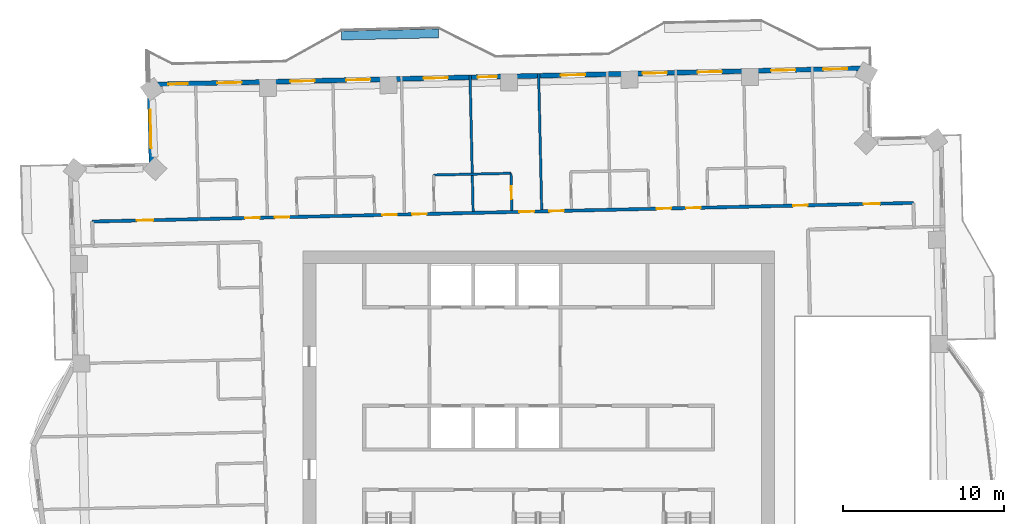
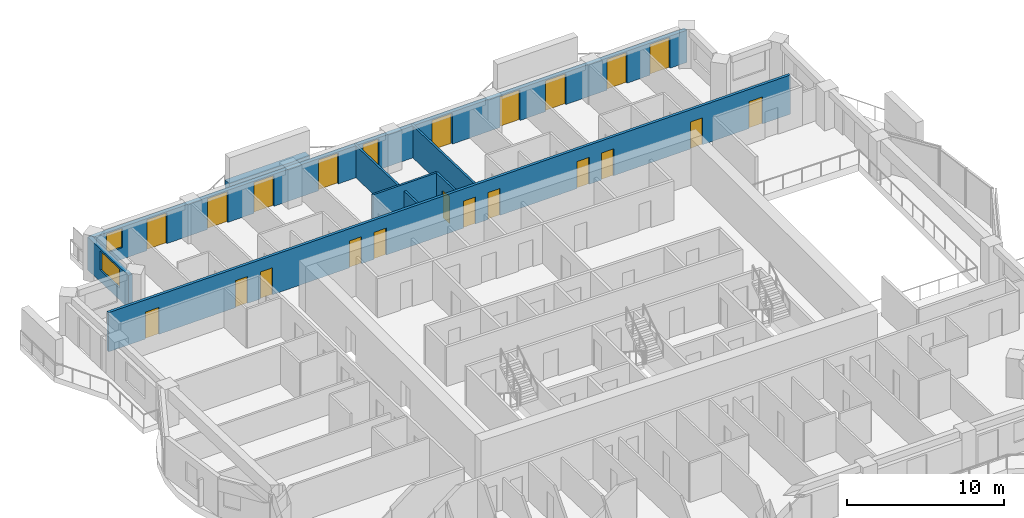
# One storey, part 11 of 17: 22 doors, 8 walls, 2 windows, 24 openings.
"""IFC4 building model written with IfcOpenShell, lengths in metres."""

from ifc_helpers import new_model, si_unit, direction, frame, frame_2d, origin, place, context, subcontext, project, spatial, rectangle, extrude, material, layer, layer_set, type_object, element, fill, save


model = new_model("IFC4")

# Units and contexts
model_context = context("Model", 3, precision=1e-05, world=origin(), true_north=direction((0.0, 1.0)))
body_context = subcontext(model_context, "Body", "Model", "MODEL_VIEW")
ifc_project = project(units=[si_unit("LENGTHUNIT", "METRE"), si_unit("AREAUNIT", "SQUARE_METRE"), si_unit("VOLUMEUNIT", "CUBIC_METRE"), si_unit("PLANEANGLEUNIT", "RADIAN"), si_unit("MASSUNIT", "GRAM", prefix="KILO")], contexts=[model_context])

# Site, building, storey
site_placement = place(None, origin())
site = spatial("IfcSite", under=ifc_project, at=site_placement, CompositionType="ELEMENT")
building_placement = place(site_placement, origin())
building = spatial("IfcBuilding", under=site, at=building_placement, Name="Mangrove Gate Tower", CompositionType="ELEMENT")
storey_placement = place(building_placement, frame((0.0, 0.0, 241.89990234375)))
storey = spatial("IfcBuildingStorey", under=building, at=storey_placement, Name="L61", CompositionType="ELEMENT", Elevation=241.89990234375)

# Wall, openings, doors
ifc_material_1 = material(Name="Gypsum board on steel stud, EI 60", Category="steel")
ifc_layer_1 = layer(ifc_material_1, 0.199951171875)
ifc_layer_set_1 = layer_set([ifc_layer_1], Name="Corridor wall EI 60")
wall_type_1 = type_object("IfcWallType", Name="Corridor wall EI 60", PredefinedType="PARTITIONING", material=ifc_layer_set_1)
wall_1_placement = place(storey_placement, frame((-27.652099609375, 13.4130859375, 0.0), z_axis=(0.0, 0.0, 1.0), x_axis=(0.999742864992, 0.022676064408, 0.0)))
wall_1 = element("IfcWall", 1, at=wall_1_placement, inside=storey, type_object=wall_type_1, Name="WALL-L61-058", PredefinedType="PARTITIONING", context=body_context, shape_type="SweptSolid", body=[
    extrude(rectangle(XDim=50.88232421875, YDim=0.199951171875, at=frame_2d((25.441162109375, 0.0))), origin(), (0.0, 0.0, 1.0), 3.050048828125),
])
opening_1_placement = place(wall_1_placement, frame((47.801025390625, 0.0, 0.0)))
opening_1 = element("IfcOpeningElement", 2, at=opening_1_placement, cuts=wall_1, Name="Opening AD", PredefinedType="OPENING", context=body_context, shape_type="SweptSolid", body=[
    extrude(rectangle(XDim=1.0, YDim=2.10009765625, at=frame_2d((0.5, 1.050048828125))), frame((0.0, 0.10986328125, 0.0), z_axis=(0.0, -1.0, 0.0), x_axis=(1.0, 0.0, 0.0)), (0.0, 0.0, 1.0), 0.219970703125),
])
opening_2_placement = place(wall_1_placement, frame((43.425048828125, 0.0, 0.0)))
opening_2 = element("IfcOpeningElement", 3, at=opening_2_placement, cuts=wall_1, Name="Opening BD", PredefinedType="OPENING", context=body_context, shape_type="SweptSolid", body=[
    extrude(rectangle(XDim=0.89990234375, YDim=2.10009765625, at=frame_2d((0.449951171875, 1.050048828125))), frame((0.0, 0.10986328125, 0.0), z_axis=(0.0, -1.0, 0.0), x_axis=(1.0, 0.0, 0.0)), (0.0, 0.0, 1.0), 0.219970703125),
])
opening_3_placement = place(wall_1_placement, frame((36.800048828125, 0.0, 0.0)))
opening_3 = element("IfcOpeningElement", 4, at=opening_3_placement, cuts=wall_1, Name="Opening BD", PredefinedType="OPENING", context=body_context, shape_type="SweptSolid", body=[
    extrude(rectangle(XDim=0.89990234375, YDim=2.10009765625, at=frame_2d((0.449951171875, 1.050048828125))), frame((0.0, 0.10986328125, 0.0), z_axis=(0.0, -1.0, 0.0), x_axis=(1.0, 0.0, 0.0)), (0.0, 0.0, 1.0), 0.219970703125),
])
opening_4_placement = place(wall_1_placement, frame((34.97509765625, 0.0, 0.0)))
opening_4 = element("IfcOpeningElement", 5, at=opening_4_placement, cuts=wall_1, Name="Opening BD", PredefinedType="OPENING", context=body_context, shape_type="SweptSolid", body=[
    extrude(rectangle(XDim=0.89990234375, YDim=2.10009765625, at=frame_2d((0.449951171875, 1.050048828125))), frame((0.0, 0.10986328125, 0.0), z_axis=(0.0, -1.0, 0.0), x_axis=(1.0, 0.0, 0.0)), (0.0, 0.0, 1.0), 0.219970703125),
])
opening_5_placement = place(wall_1_placement, frame((28.324951171875, 0.0, 0.0)))
opening_5 = element("IfcOpeningElement", 6, at=opening_5_placement, cuts=wall_1, Name="Opening BD", PredefinedType="OPENING", context=body_context, shape_type="SweptSolid", body=[
    extrude(rectangle(XDim=0.89990234375, YDim=2.10009765625, at=frame_2d((0.449951171875, 1.050048828125))), frame((0.0, 0.10986328125, 0.0), z_axis=(0.0, -1.0, 0.0), x_axis=(1.0, 0.0, 0.0)), (0.0, 0.0, 1.0), 0.219970703125),
])
opening_6_placement = place(wall_1_placement, frame((26.47509765625, 0.0, 0.0)))
opening_6 = element("IfcOpeningElement", 7, at=opening_6_placement, cuts=wall_1, Name="Opening BD", PredefinedType="OPENING", context=body_context, shape_type="SweptSolid", body=[
    extrude(rectangle(XDim=0.89990234375, YDim=2.10009765625, at=frame_2d((0.449951171875, 1.050048828125))), frame((0.0, 0.10986328125, 0.0), z_axis=(0.0, -1.0, 0.0), x_axis=(1.0, 0.0, 0.0)), (0.0, 0.0, 1.0), 0.219970703125),
])
opening_7_placement = place(wall_1_placement, frame((19.824951171875, 0.0, 0.0)))
opening_7 = element("IfcOpeningElement", 8, at=opening_7_placement, cuts=wall_1, Name="Opening BD", PredefinedType="OPENING", context=body_context, shape_type="SweptSolid", body=[
    extrude(rectangle(XDim=0.89990234375, YDim=2.10009765625, at=frame_2d((0.449951171875, 1.050048828125))), frame((0.0, 0.10986328125, 0.0), z_axis=(0.0, -1.0, 0.0), x_axis=(1.0, 0.0, 0.0)), (0.0, 0.0, 1.0), 0.219970703125),
])
opening_8_placement = place(wall_1_placement, frame((17.97509765625, 0.0, 0.0)))
opening_8 = element("IfcOpeningElement", 9, at=opening_8_placement, cuts=wall_1, Name="Opening BD", PredefinedType="OPENING", context=body_context, shape_type="SweptSolid", body=[
    extrude(rectangle(XDim=0.89990234375, YDim=2.10009765625, at=frame_2d((0.449951171875, 1.050048828125))), frame((0.0, 0.10986328125, 0.0), z_axis=(0.0, -1.0, 0.0), x_axis=(1.0, 0.0, 0.0)), (0.0, 0.0, 1.0), 0.219970703125),
])
opening_9_placement = place(wall_1_placement, frame((11.324951171875, 0.0, 0.0)))
opening_9 = element("IfcOpeningElement", 10, at=opening_9_placement, cuts=wall_1, Name="Opening BD", PredefinedType="OPENING", context=body_context, shape_type="SweptSolid", body=[
    extrude(rectangle(XDim=0.89990234375, YDim=2.10009765625, at=frame_2d((0.449951171875, 1.050048828125))), frame((0.0, 0.10986328125, 0.0), z_axis=(0.0, -1.0, 0.0), x_axis=(1.0, 0.0, 0.0)), (0.0, 0.0, 1.0), 0.219970703125),
])
opening_10_placement = place(wall_1_placement, frame((9.47509765625, 0.0, 0.0)))
opening_10 = element("IfcOpeningElement", 11, at=opening_10_placement, cuts=wall_1, Name="Opening BD", PredefinedType="OPENING", context=body_context, shape_type="SweptSolid", body=[
    extrude(rectangle(XDim=0.89990234375, YDim=2.10009765625, at=frame_2d((0.449951171875, 1.050048828125))), frame((0.0, 0.10986328125, 0.0), z_axis=(0.0, -1.0, 0.0), x_axis=(1.0, 0.0, 0.0)), (0.0, 0.0, 1.0), 0.219970703125),
])
opening_11_placement = place(wall_1_placement, frame((2.77197265625, 0.0, 0.0)))
opening_11 = element("IfcOpeningElement", 12, at=opening_11_placement, cuts=wall_1, Name="Opening AD", PredefinedType="OPENING", context=body_context, shape_type="SweptSolid", body=[
    extrude(rectangle(XDim=1.0, YDim=2.10009765625, at=frame_2d((0.5, 1.050048828125))), frame((0.0, 0.10986328125, 0.0), z_axis=(0.0, -1.0, 0.0), x_axis=(1.0, 0.0, 0.0)), (0.0, 0.0, 1.0), 0.219970703125),
])
ifc_material_2 = material(Name="Timber door leaf", Category="wood")
door_type_1 = type_object("IfcDoorType", Name="Amenity door 1000", OperationType="SINGLE_SWING_LEFT", PredefinedType="DOOR", material=ifc_material_2)
door_1_placement = place(opening_1_placement, origin())
door_1 = element("IfcDoor", 13, at=door_1_placement, inside=storey, type_object=door_type_1, Name="DOOR-L61-KIT-c3c", OperationType="SINGLE_SWING_LEFT", OverallHeight=2.10009765625, OverallWidth=1.0, PredefinedType="DOOR", context=body_context, shape_type="SweptSolid", body=[
    extrude(rectangle(XDim=1.0, YDim=2.10009765625, at=frame_2d((0.5, 1.050048828125))), frame((0.0, 0.02490234375, 0.0), z_axis=(0.0, -1.0, 0.0), x_axis=(1.0, 0.0, 0.0)), (0.0, 0.0, 1.0), 0.050048828125),
])
fill(opening_1, door_1)
door_2_placement = place(opening_11_placement, origin())
door_2 = element("IfcDoor", 14, at=door_2_placement, inside=storey, type_object=door_type_1, Name="DOOR-L61-STU-c5a", OperationType="SINGLE_SWING_RIGHT", OverallHeight=2.10009765625, OverallWidth=1.0, PredefinedType="DOOR", context=body_context, shape_type="SweptSolid", body=[
    extrude(rectangle(XDim=1.0, YDim=2.10009765625, at=frame_2d((0.5, 1.050048828125))), frame((0.0, 0.02490234375, 0.0), z_axis=(0.0, -1.0, 0.0), x_axis=(1.0, 0.0, 0.0)), (0.0, 0.0, 1.0), 0.050048828125),
])
fill(opening_11, door_2)
ifc_material_3 = material(Name="Timber door leaf", Category="wood")
door_type_2 = type_object("IfcDoorType", Name="Bedroom door 900", OperationType="SINGLE_SWING_LEFT", PredefinedType="DOOR", material=ifc_material_3)
door_3_placement = place(opening_2_placement, origin())
door_3 = element("IfcDoor", 15, at=door_3_placement, inside=storey, type_object=door_type_2, Name="DOOR-L61-BED-c309", OperationType="SINGLE_SWING_LEFT", OverallHeight=2.10009765625, OverallWidth=0.89990234375, PredefinedType="DOOR", context=body_context, shape_type="SweptSolid", body=[
    extrude(rectangle(XDim=0.89990234375, YDim=2.10009765625, at=frame_2d((0.449951171875, 1.050048828125))), frame((0.0, 0.02490234375, 0.0), z_axis=(0.0, -1.0, 0.0), x_axis=(1.0, 0.0, 0.0)), (0.0, 0.0, 1.0), 0.050048828125),
])
fill(opening_2, door_3)
door_4_placement = place(opening_3_placement, origin())
door_4 = element("IfcDoor", 16, at=door_4_placement, inside=storey, type_object=door_type_2, Name="DOOR-L61-BED-c310", OperationType="SINGLE_SWING_RIGHT", OverallHeight=2.10009765625, OverallWidth=0.89990234375, PredefinedType="DOOR", context=body_context, shape_type="SweptSolid", body=[
    extrude(rectangle(XDim=0.89990234375, YDim=2.10009765625, at=frame_2d((0.449951171875, 1.050048828125))), frame((0.0, 0.02490234375, 0.0), z_axis=(0.0, -1.0, 0.0), x_axis=(1.0, 0.0, 0.0)), (0.0, 0.0, 1.0), 0.050048828125),
])
fill(opening_3, door_4)
door_5_placement = place(opening_4_placement, origin())
door_5 = element("IfcDoor", 17, at=door_5_placement, inside=storey, type_object=door_type_2, Name="DOOR-L61-BED-c311", OperationType="SINGLE_SWING_LEFT", OverallHeight=2.10009765625, OverallWidth=0.89990234375, PredefinedType="DOOR", context=body_context, shape_type="SweptSolid", body=[
    extrude(rectangle(XDim=0.89990234375, YDim=2.10009765625, at=frame_2d((0.449951171875, 1.050048828125))), frame((0.0, 0.02490234375, 0.0), z_axis=(0.0, -1.0, 0.0), x_axis=(1.0, 0.0, 0.0)), (0.0, 0.0, 1.0), 0.050048828125),
])
fill(opening_4, door_5)
door_6_placement = place(opening_5_placement, origin())
door_6 = element("IfcDoor", 18, at=door_6_placement, inside=storey, type_object=door_type_2, Name="DOOR-L61-BED-c412", OperationType="SINGLE_SWING_RIGHT", OverallHeight=2.10009765625, OverallWidth=0.89990234375, PredefinedType="DOOR", context=body_context, shape_type="SweptSolid", body=[
    extrude(rectangle(XDim=0.89990234375, YDim=2.10009765625, at=frame_2d((0.449951171875, 1.050048828125))), frame((0.0, 0.02490234375, 0.0), z_axis=(0.0, -1.0, 0.0), x_axis=(1.0, 0.0, 0.0)), (0.0, 0.0, 1.0), 0.050048828125),
])
fill(opening_5, door_6)
door_7_placement = place(opening_6_placement, origin())
door_7 = element("IfcDoor", 19, at=door_7_placement, inside=storey, type_object=door_type_2, Name="DOOR-L61-BED-c413", OperationType="SINGLE_SWING_LEFT", OverallHeight=2.10009765625, OverallWidth=0.89990234375, PredefinedType="DOOR", context=body_context, shape_type="SweptSolid", body=[
    extrude(rectangle(XDim=0.89990234375, YDim=2.10009765625, at=frame_2d((0.449951171875, 1.050048828125))), frame((0.0, 0.02490234375, 0.0), z_axis=(0.0, -1.0, 0.0), x_axis=(1.0, 0.0, 0.0)), (0.0, 0.0, 1.0), 0.050048828125),
])
fill(opening_6, door_7)
door_8_placement = place(opening_7_placement, origin())
door_8 = element("IfcDoor", 20, at=door_8_placement, inside=storey, type_object=door_type_2, Name="DOOR-L61-BED-c414", OperationType="SINGLE_SWING_RIGHT", OverallHeight=2.10009765625, OverallWidth=0.89990234375, PredefinedType="DOOR", context=body_context, shape_type="SweptSolid", body=[
    extrude(rectangle(XDim=0.89990234375, YDim=2.10009765625, at=frame_2d((0.449951171875, 1.050048828125))), frame((0.0, 0.02490234375, 0.0), z_axis=(0.0, -1.0, 0.0), x_axis=(1.0, 0.0, 0.0)), (0.0, 0.0, 1.0), 0.050048828125),
])
fill(opening_7, door_8)
door_9_placement = place(opening_8_placement, origin())
door_9 = element("IfcDoor", 21, at=door_9_placement, inside=storey, type_object=door_type_2, Name="DOOR-L61-BED-c515", OperationType="SINGLE_SWING_LEFT", OverallHeight=2.10009765625, OverallWidth=0.89990234375, PredefinedType="DOOR", context=body_context, shape_type="SweptSolid", body=[
    extrude(rectangle(XDim=0.89990234375, YDim=2.10009765625, at=frame_2d((0.449951171875, 1.050048828125))), frame((0.0, 0.02490234375, 0.0), z_axis=(0.0, -1.0, 0.0), x_axis=(1.0, 0.0, 0.0)), (0.0, 0.0, 1.0), 0.050048828125),
])
fill(opening_8, door_9)
door_10_placement = place(opening_9_placement, origin())
door_10 = element("IfcDoor", 22, at=door_10_placement, inside=storey, type_object=door_type_2, Name="DOOR-L61-BED-c516", OperationType="SINGLE_SWING_RIGHT", OverallHeight=2.10009765625, OverallWidth=0.89990234375, PredefinedType="DOOR", context=body_context, shape_type="SweptSolid", body=[
    extrude(rectangle(XDim=0.89990234375, YDim=2.10009765625, at=frame_2d((0.449951171875, 1.050048828125))), frame((0.0, 0.02490234375, 0.0), z_axis=(0.0, -1.0, 0.0), x_axis=(1.0, 0.0, 0.0)), (0.0, 0.0, 1.0), 0.050048828125),
])
fill(opening_9, door_10)
door_11_placement = place(opening_10_placement, origin())
door_11 = element("IfcDoor", 23, at=door_11_placement, inside=storey, type_object=door_type_2, Name="DOOR-L61-BED-c517", OperationType="SINGLE_SWING_LEFT", OverallHeight=2.10009765625, OverallWidth=0.89990234375, PredefinedType="DOOR", context=body_context, shape_type="SweptSolid", body=[
    extrude(rectangle(XDim=0.89990234375, YDim=2.10009765625, at=frame_2d((0.449951171875, 1.050048828125))), frame((0.0, 0.02490234375, 0.0), z_axis=(0.0, -1.0, 0.0), x_axis=(1.0, 0.0, 0.0)), (0.0, 0.0, 1.0), 0.050048828125),
])
fill(opening_10, door_11)

# Wall, openings, doors, window
ifc_material_4 = material(Name="Limestone", Category="masonry")
ifc_layer_2 = layer(ifc_material_4, 0.0400390625, Name="Limestone cladding")
ifc_material_5 = material(Name="Ventilated air gap")
ifc_layer_3 = layer(ifc_material_5, 0.0400390625, Name="Ventilated cavity")
ifc_material_6 = material(Name="Mineral wool insulation")
ifc_layer_4 = layer(ifc_material_6, 0.06005859375, Name="Insulation")
ifc_material_7 = material(Name="Breather membrane")
ifc_layer_5 = layer(ifc_material_7, 0.001953125, Name="Breather membrane")
ifc_material_8 = material(Name="Concrete C20/25 blockwork", Category="masonry")
ifc_layer_6 = layer(ifc_material_8, 0.14990234375, Name="Blockwork backing wall")
ifc_material_9 = material(Name="Gypsum plaster")
ifc_layer_7 = layer(ifc_material_9, 0.008056640625, Name="Internal plaster")
ifc_layer_set_2 = layer_set([ifc_layer_2, ifc_layer_3, ifc_layer_4, ifc_layer_5, ifc_layer_6, ifc_layer_7], Name="External wall 300 limestone cladding")
wall_type_2 = type_object("IfcWallType", Name="External wall 300 limestone cladding", PredefinedType="SOLIDWALL", material=ifc_layer_set_2)
wall_2_placement = place(storey_placement, frame((20.403076171875, 22.905029296875, 0.0), z_axis=(0.0, 0.0, 1.0), x_axis=(-0.99974298964, -0.022670568288, 0.0)))
wall_2 = element("IfcWall", 24, at=wall_2_placement, inside=storey, type_object=wall_type_2, Name="WALL-L61-N5", PredefinedType="SOLIDWALL", context=body_context, shape_type="SweptSolid", body=[
    extrude(rectangle(XDim=44.508544921875, YDim=0.300048828125, at=frame_2d((22.25439453125, 0.0))), origin(), (0.0, 0.0, 1.0), 2.5),
])
opening_12_placement = place(wall_2_placement, frame((1.27197265625, 0.0, 0.0)))
opening_12 = element("IfcOpeningElement", 25, at=opening_12_placement, cuts=wall_2, Name="Opening BD1", PredefinedType="OPENING", context=body_context, shape_type="SweptSolid", body=[
    extrude(rectangle(XDim=1.5, YDim=2.39990234375, at=frame_2d((0.75, 1.199951171875))), frame((0.0, 0.159912109375, 0.0), z_axis=(0.0, -1.0, 0.0), x_axis=(1.0, 0.0, 0.0)), (0.0, 0.0, 1.0), 0.320068359375),
])
opening_13_placement = place(wall_2_placement, frame((4.5009765625, 0.0, 0.0)))
opening_13 = element("IfcOpeningElement", 26, at=opening_13_placement, cuts=wall_2, Name="Opening BD1", PredefinedType="OPENING", context=body_context, shape_type="SweptSolid", body=[
    extrude(rectangle(XDim=1.5, YDim=2.39990234375, at=frame_2d((0.75, 1.199951171875))), frame((0.0, 0.159912109375, 0.0), z_axis=(0.0, -1.0, 0.0), x_axis=(1.0, 0.0, 0.0)), (0.0, 0.0, 1.0), 0.320068359375),
])
opening_14_placement = place(wall_2_placement, frame((9.05810546875, 0.0, 0.0)))
opening_14 = element("IfcOpeningElement", 27, at=opening_14_placement, cuts=wall_2, Name="Opening BD1", PredefinedType="OPENING", context=body_context, shape_type="SweptSolid", body=[
    extrude(rectangle(XDim=1.5, YDim=2.39990234375, at=frame_2d((0.75, 1.199951171875))), frame((0.0, 0.159912109375, 0.0), z_axis=(0.0, -1.0, 0.0), x_axis=(1.0, 0.0, 0.0)), (0.0, 0.0, 1.0), 0.320068359375),
])
opening_15_placement = place(wall_2_placement, frame((12.4599609375, 0.0, 0.0)))
opening_15 = element("IfcOpeningElement", 28, at=opening_15_placement, cuts=wall_2, Name="Opening BD1", PredefinedType="OPENING", context=body_context, shape_type="SweptSolid", body=[
    extrude(rectangle(XDim=1.5, YDim=2.39990234375, at=frame_2d((0.75, 1.199951171875))), frame((0.0, 0.159912109375, 0.0), z_axis=(0.0, -1.0, 0.0), x_axis=(1.0, 0.0, 0.0)), (0.0, 0.0, 1.0), 0.320068359375),
])
opening_16_placement = place(wall_2_placement, frame((17.532958984375, 0.0, 0.0)))
opening_16 = element("IfcOpeningElement", 29, at=opening_16_placement, cuts=wall_2, Name="Opening BD1", PredefinedType="OPENING", context=body_context, shape_type="SweptSolid", body=[
    extrude(rectangle(XDim=1.5, YDim=2.39990234375, at=frame_2d((0.75, 1.199951171875))), frame((0.0, 0.159912109375, 0.0), z_axis=(0.0, -1.0, 0.0), x_axis=(1.0, 0.0, 0.0)), (0.0, 0.0, 1.0), 0.320068359375),
])
opening_17_placement = place(wall_2_placement, frame((22.992919921875, 0.0, 0.0)))
opening_17 = element("IfcOpeningElement", 30, at=opening_17_placement, cuts=wall_2, Name="Opening BD2", PredefinedType="OPENING", context=body_context, shape_type="SweptSolid", body=[
    extrude(rectangle(XDim=1.199951171875, YDim=2.39990234375, at=frame_2d((0.60009765625, 1.199951171875))), frame((0.0, 0.159912109375, 0.0), z_axis=(0.0, -1.0, 0.0), x_axis=(1.0, 0.0, 0.0)), (0.0, 0.0, 1.0), 0.320068359375),
])
opening_18_placement = place(wall_2_placement, frame((26.032958984375, 0.0, 0.0)))
opening_18 = element("IfcOpeningElement", 31, at=opening_18_placement, cuts=wall_2, Name="Opening BD1", PredefinedType="OPENING", context=body_context, shape_type="SweptSolid", body=[
    extrude(rectangle(XDim=1.5, YDim=2.39990234375, at=frame_2d((0.75, 1.199951171875))), frame((0.0, 0.159912109375, 0.0), z_axis=(0.0, -1.0, 0.0), x_axis=(1.0, 0.0, 0.0)), (0.0, 0.0, 1.0), 0.320068359375),
])
opening_19_placement = place(wall_2_placement, frame((30.826904296875, 0.0, 0.0)))
opening_19 = element("IfcOpeningElement", 32, at=opening_19_placement, cuts=wall_2, Name="Opening BD1", PredefinedType="OPENING", context=body_context, shape_type="SweptSolid", body=[
    extrude(rectangle(XDim=1.5, YDim=2.39990234375, at=frame_2d((0.75, 1.199951171875))), frame((0.0, 0.159912109375, 0.0), z_axis=(0.0, -1.0, 0.0), x_axis=(1.0, 0.0, 0.0)), (0.0, 0.0, 1.0), 0.320068359375),
])
opening_20_placement = place(wall_2_placement, frame((34.285888671875, 0.0, 0.0)))
opening_20 = element("IfcOpeningElement", 33, at=opening_20_placement, cuts=wall_2, Name="Opening BD1", PredefinedType="OPENING", context=body_context, shape_type="SweptSolid", body=[
    extrude(rectangle(XDim=1.5, YDim=2.39990234375, at=frame_2d((0.75, 1.199951171875))), frame((0.0, 0.159912109375, 0.0), z_axis=(0.0, -1.0, 0.0), x_axis=(1.0, 0.0, 0.0)), (0.0, 0.0, 1.0), 0.320068359375),
])
opening_21_placement = place(wall_2_placement, frame((38.81103515625, 0.0, 0.0)))
opening_21 = element("IfcOpeningElement", 34, at=opening_21_placement, cuts=wall_2, Name="Opening BD1", PredefinedType="OPENING", context=body_context, shape_type="SweptSolid", body=[
    extrude(rectangle(XDim=1.5, YDim=2.39990234375, at=frame_2d((0.75, 1.199951171875))), frame((0.0, 0.159912109375, 0.0), z_axis=(0.0, -1.0, 0.0), x_axis=(1.0, 0.0, 0.0)), (0.0, 0.0, 1.0), 0.320068359375),
])
opening_22_placement = place(wall_2_placement, frame((42.14794921875, 0.0, 0.89990234375)))
opening_22 = element("IfcOpeningElement", 35, at=opening_22_placement, cuts=wall_2, Name="Opening W1", PredefinedType="OPENING", context=body_context, shape_type="SweptSolid", body=[
    extrude(rectangle(XDim=1.199951171875, YDim=1.5, at=frame_2d((0.60009765625, 0.75))), frame((0.0, 0.159912109375, 0.0), z_axis=(0.0, -1.0, 0.0), x_axis=(1.0, 0.0, 0.0)), (0.0, 0.0, 1.0), 0.320068359375),
])
ifc_material_10 = material(Name="Aluminium frame with laminated clear glass", Category="aluminium")
door_type_3 = type_object("IfcDoorType", Name="Balcony sliding door 1200x2400", OperationType="SLIDING_TO_LEFT", PredefinedType="DOOR", material=ifc_material_10)
door_12_placement = place(opening_17_placement, origin())
door_12 = element("IfcDoor", 36, at=door_12_placement, inside=storey, type_object=door_type_3, Name="DOOR-L61-N5-6", OperationType="SLIDING_TO_LEFT", OverallHeight=2.39990234375, OverallWidth=1.199951171875, PredefinedType="DOOR", context=body_context, shape_type="SweptSolid", body=[
    extrude(rectangle(XDim=1.199951171875, YDim=2.39990234375, at=frame_2d((0.60009765625, 1.199951171875))), frame((0.0, 0.02490234375, 0.0), z_axis=(0.0, -1.0, 0.0), x_axis=(1.0, 0.0, 0.0)), (0.0, 0.0, 1.0), 0.050048828125),
])
fill(opening_17, door_12)
ifc_material_11 = material(Name="Aluminium frame with laminated clear glass", Category="aluminium")
door_type_4 = type_object("IfcDoorType", Name="Balcony sliding door 1500x2400", OperationType="SLIDING_TO_LEFT", PredefinedType="DOOR", material=ifc_material_11)
door_13_placement = place(opening_12_placement, origin())
door_13 = element("IfcDoor", 37, at=door_13_placement, inside=storey, type_object=door_type_4, Name="DOOR-L61-N5-1", OperationType="SLIDING_TO_LEFT", OverallHeight=2.39990234375, OverallWidth=1.5, PredefinedType="DOOR", context=body_context, shape_type="SweptSolid", body=[
    extrude(rectangle(XDim=1.5, YDim=2.39990234375, at=frame_2d((0.75, 1.199951171875))), frame((0.0, 0.02490234375, 0.0), z_axis=(0.0, -1.0, 0.0), x_axis=(1.0, 0.0, 0.0)), (0.0, 0.0, 1.0), 0.050048828125),
])
fill(opening_12, door_13)
door_14_placement = place(opening_13_placement, origin())
door_14 = element("IfcDoor", 38, at=door_14_placement, inside=storey, type_object=door_type_4, Name="DOOR-L61-N5-2", OperationType="SLIDING_TO_LEFT", OverallHeight=2.39990234375, OverallWidth=1.5, PredefinedType="DOOR", context=body_context, shape_type="SweptSolid", body=[
    extrude(rectangle(XDim=1.5, YDim=2.39990234375, at=frame_2d((0.75, 1.199951171875))), frame((0.0, 0.02490234375, 0.0), z_axis=(0.0, -1.0, 0.0), x_axis=(1.0, 0.0, 0.0)), (0.0, 0.0, 1.0), 0.050048828125),
])
fill(opening_13, door_14)
door_15_placement = place(opening_14_placement, origin())
door_15 = element("IfcDoor", 39, at=door_15_placement, inside=storey, type_object=door_type_4, Name="DOOR-L61-N5-3", OperationType="SLIDING_TO_LEFT", OverallHeight=2.39990234375, OverallWidth=1.5, PredefinedType="DOOR", context=body_context, shape_type="SweptSolid", body=[
    extrude(rectangle(XDim=1.5, YDim=2.39990234375, at=frame_2d((0.75, 1.199951171875))), frame((0.0, 0.02490234375, 0.0), z_axis=(0.0, -1.0, 0.0), x_axis=(1.0, 0.0, 0.0)), (0.0, 0.0, 1.0), 0.050048828125),
])
fill(opening_14, door_15)
door_16_placement = place(opening_15_placement, origin())
door_16 = element("IfcDoor", 40, at=door_16_placement, inside=storey, type_object=door_type_4, Name="DOOR-L61-N5-4", OperationType="SLIDING_TO_LEFT", OverallHeight=2.39990234375, OverallWidth=1.5, PredefinedType="DOOR", context=body_context, shape_type="SweptSolid", body=[
    extrude(rectangle(XDim=1.5, YDim=2.39990234375, at=frame_2d((0.75, 1.199951171875))), frame((0.0, 0.02490234375, 0.0), z_axis=(0.0, -1.0, 0.0), x_axis=(1.0, 0.0, 0.0)), (0.0, 0.0, 1.0), 0.050048828125),
])
fill(opening_15, door_16)
door_17_placement = place(opening_16_placement, origin())
door_17 = element("IfcDoor", 41, at=door_17_placement, inside=storey, type_object=door_type_4, Name="DOOR-L61-N5-5", OperationType="SLIDING_TO_LEFT", OverallHeight=2.39990234375, OverallWidth=1.5, PredefinedType="DOOR", context=body_context, shape_type="SweptSolid", body=[
    extrude(rectangle(XDim=1.5, YDim=2.39990234375, at=frame_2d((0.75, 1.199951171875))), frame((0.0, 0.02490234375, 0.0), z_axis=(0.0, -1.0, 0.0), x_axis=(1.0, 0.0, 0.0)), (0.0, 0.0, 1.0), 0.050048828125),
])
fill(opening_16, door_17)
door_18_placement = place(opening_18_placement, origin())
door_18 = element("IfcDoor", 42, at=door_18_placement, inside=storey, type_object=door_type_4, Name="DOOR-L61-N5-7", OperationType="SLIDING_TO_LEFT", OverallHeight=2.39990234375, OverallWidth=1.5, PredefinedType="DOOR", context=body_context, shape_type="SweptSolid", body=[
    extrude(rectangle(XDim=1.5, YDim=2.39990234375, at=frame_2d((0.75, 1.199951171875))), frame((0.0, 0.02490234375, 0.0), z_axis=(0.0, -1.0, 0.0), x_axis=(1.0, 0.0, 0.0)), (0.0, 0.0, 1.0), 0.050048828125),
])
fill(opening_18, door_18)
door_19_placement = place(opening_19_placement, origin())
door_19 = element("IfcDoor", 43, at=door_19_placement, inside=storey, type_object=door_type_4, Name="DOOR-L61-N5-8", OperationType="SLIDING_TO_LEFT", OverallHeight=2.39990234375, OverallWidth=1.5, PredefinedType="DOOR", context=body_context, shape_type="SweptSolid", body=[
    extrude(rectangle(XDim=1.5, YDim=2.39990234375, at=frame_2d((0.75, 1.199951171875))), frame((0.0, 0.02490234375, 0.0), z_axis=(0.0, -1.0, 0.0), x_axis=(1.0, 0.0, 0.0)), (0.0, 0.0, 1.0), 0.050048828125),
])
fill(opening_19, door_19)
door_20_placement = place(opening_20_placement, origin())
door_20 = element("IfcDoor", 44, at=door_20_placement, inside=storey, type_object=door_type_4, Name="DOOR-L61-N5-9", OperationType="SLIDING_TO_LEFT", OverallHeight=2.39990234375, OverallWidth=1.5, PredefinedType="DOOR", context=body_context, shape_type="SweptSolid", body=[
    extrude(rectangle(XDim=1.5, YDim=2.39990234375, at=frame_2d((0.75, 1.199951171875))), frame((0.0, 0.02490234375, 0.0), z_axis=(0.0, -1.0, 0.0), x_axis=(1.0, 0.0, 0.0)), (0.0, 0.0, 1.0), 0.050048828125),
])
fill(opening_20, door_20)
door_21_placement = place(opening_21_placement, origin())
door_21 = element("IfcDoor", 45, at=door_21_placement, inside=storey, type_object=door_type_4, Name="DOOR-L61-N5-10", OperationType="SLIDING_TO_LEFT", OverallHeight=2.39990234375, OverallWidth=1.5, PredefinedType="DOOR", context=body_context, shape_type="SweptSolid", body=[
    extrude(rectangle(XDim=1.5, YDim=2.39990234375, at=frame_2d((0.75, 1.199951171875))), frame((0.0, 0.02490234375, 0.0), z_axis=(0.0, -1.0, 0.0), x_axis=(1.0, 0.0, 0.0)), (0.0, 0.0, 1.0), 0.050048828125),
])
fill(opening_21, door_21)
ifc_material_12 = material(Name="Aluminium frame with double-glazed low-e glass", Category="aluminium")
window_type_1 = type_object("IfcWindowType", Name="Side lite 1200x1500", PartitioningType="SINGLE_PANEL", PredefinedType="WINDOW", material=ifc_material_12)
window_1_placement = place(opening_22_placement, origin())
window_1 = element("IfcWindow", 46, at=window_1_placement, inside=storey, type_object=window_type_1, Name="WIN-L61-N5-11", OverallHeight=1.5, OverallWidth=1.199951171875, PartitioningType="SINGLE_PANEL", PredefinedType="WINDOW", context=body_context, shape_type="SweptSolid", body=[
    extrude(rectangle(XDim=1.199951171875, YDim=1.5, at=frame_2d((0.60009765625, 0.75))), frame((0.0, 0.030029296875, 0.0), z_axis=(0.0, -1.0, 0.0), x_axis=(1.0, 0.0, 0.0)), (0.0, 0.0, 1.0), 0.06005859375),
])
fill(opening_22, window_1)

# Wall, opening, window
wall_3_placement = place(storey_placement, frame((-24.093994140625, 21.89599609375, 0.0), z_axis=(0.0, 0.0, 1.0), x_axis=(0.022606059803, -0.999744450377, 0.0)))
wall_3 = element("IfcWall", 47, at=wall_3_placement, inside=storey, type_object=wall_type_2, Name="WALL-L61-W6", PredefinedType="SOLIDWALL", context=body_context, shape_type="SweptSolid", body=[
    extrude(rectangle(XDim=5.000244140625, YDim=0.300048828125, at=frame_2d((2.5, 0.0))), origin(), (0.0, 0.0, 1.0), 2.550048828125),
])
opening_23_placement = place(wall_3_placement, frame((1.547119140625, 0.0, 0.89990234375)))
opening_23 = element("IfcOpeningElement", 48, at=opening_23_placement, cuts=wall_3, Name="Opening W2", PredefinedType="OPENING", context=body_context, shape_type="SweptSolid", body=[
    extrude(rectangle(XDim=2.39990234375, YDim=1.5, at=frame_2d((1.199951171875, 0.75))), frame((0.0, 0.159912109375, 0.0), z_axis=(0.0, -1.0, 0.0), x_axis=(1.0, 0.0, 0.0)), (0.0, 0.0, 1.0), 0.320068359375),
])
ifc_material_13 = material(Name="Aluminium frame with double-glazed low-e glass", Category="aluminium")
window_type_2 = type_object("IfcWindowType", Name="Corner room window 2400x1500", PartitioningType="DOUBLE_PANEL_VERTICAL", PredefinedType="WINDOW", material=ifc_material_13)
window_2_placement = place(opening_23_placement, origin())
window_2 = element("IfcWindow", 49, at=window_2_placement, inside=storey, type_object=window_type_2, Name="WIN-L61-W6-1", OverallHeight=1.5, OverallWidth=2.39990234375, PartitioningType="DOUBLE_PANEL_VERTICAL", PredefinedType="WINDOW", context=body_context, shape_type="SweptSolid", body=[
    extrude(rectangle(XDim=2.39990234375, YDim=1.5, at=frame_2d((1.199951171875, 0.75))), frame((0.0, 0.030029296875, 0.0), z_axis=(0.0, -1.0, 0.0), x_axis=(1.0, 0.0, 0.0)), (0.0, 0.0, 1.0), 0.06005859375),
])
fill(opening_23, window_2)

# Wall
ifc_material_14 = material(Name="Gypsum board on steel stud, EI 60", Category="steel")
ifc_layer_8 = layer(ifc_material_14, 0.14990234375)
ifc_layer_set_3 = layer_set([ifc_layer_8], Name="Party wall 150 EI 60")
wall_type_3 = type_object("IfcWallType", Name="Party wall 150 EI 60", PredefinedType="PARTITIONING", material=ifc_layer_set_3)
wall_4_placement = place(storey_placement, frame((-4.056884765625, 14.048095703125, 0.0), z_axis=(0.0, 0.0, 1.0), x_axis=(-0.022622304913, 0.999744082913, 0.0)))
element("IfcWall", 50, at=wall_4_placement, inside=storey, type_object=wall_type_3, Name="WALL-L61-067", PredefinedType="PARTITIONING", context=body_context, shape_type="SweptSolid", body=[
    extrude(rectangle(XDim=8.4501953125, YDim=0.14990234375, at=frame_2d((4.22509765625, 0.0))), origin(), (0.0, 0.0, 1.0), 2.5),
])

# Wall, opening, door
wall_5_placement = place(storey_placement, frame((-1.656982421875, 14.10302734375, 0.0), z_axis=(0.0, 0.0, 1.0), x_axis=(-0.023037316498, 0.999734605807, 0.0)))
wall_5 = element("IfcWall", 51, at=wall_5_placement, inside=storey, type_object=wall_type_3, Name="WALL-L61-068", PredefinedType="PARTITIONING", context=body_context, shape_type="SweptSolid", body=[
    extrude(rectangle(XDim=2.299560546875, YDim=0.14990234375, at=frame_2d((1.14990234375, 0.0))), origin(), (0.0, 0.0, 1.0), 3.050048828125),
])
opening_24_placement = place(wall_5_placement, frame((0.699951171875, 0.0, 0.0)))
opening_24 = element("IfcOpeningElement", 52, at=opening_24_placement, cuts=wall_5, Name="Opening ED", PredefinedType="OPENING", context=body_context, shape_type="SweptSolid", body=[
    extrude(rectangle(XDim=0.800048828125, YDim=2.10009765625, at=frame_2d((0.39990234375, 1.050048828125))), frame((0.0, 0.0849609375, 0.0), z_axis=(0.0, -1.0, 0.0), x_axis=(1.0, 0.0, 0.0)), (0.0, 0.0, 1.0), 0.169921875),
])
ifc_material_15 = material(Name="Timber door leaf", Category="wood")
door_type_5 = type_object("IfcDoorType", Name="En-suite door 800", OperationType="SINGLE_SWING_LEFT", PredefinedType="DOOR", material=ifc_material_15)
door_22_placement = place(opening_24_placement, origin())
door_22 = element("IfcDoor", 53, at=door_22_placement, inside=storey, type_object=door_type_5, Name="DOOR-L61-ENS-c413", OperationType="SINGLE_SWING_LEFT", OverallHeight=2.10009765625, OverallWidth=0.800048828125, PredefinedType="DOOR", context=body_context, shape_type="SweptSolid", body=[
    extrude(rectangle(XDim=0.800048828125, YDim=2.10009765625, at=frame_2d((0.39990234375, 1.050048828125))), frame((0.0, 0.02490234375, 0.0), z_axis=(0.0, -1.0, 0.0), x_axis=(1.0, 0.0, 0.0)), (0.0, 0.0, 1.0), 0.050048828125),
])
fill(opening_24, door_22)

# Walls
wall_6_placement = place(storey_placement, frame((0.19189453125, 14.14501953125, 0.0), z_axis=(0.0, 0.0, 1.0), x_axis=(-0.022708935798, 0.999742118866, 0.0)))
element("IfcWall", 54, at=wall_6_placement, inside=storey, type_object=wall_type_3, Name="WALL-L61-069", PredefinedType="PARTITIONING", context=body_context, shape_type="SweptSolid", body=[
    extrude(rectangle(XDim=8.4501953125, YDim=0.14990234375, at=frame_2d((4.22509765625, 0.0))), origin(), (0.0, 0.0, 1.0), 2.5),
])
wall_7_placement = place(storey_placement, frame((-6.511962890625, 16.29296875, 0.0), z_axis=(0.0, 0.0, 1.0), x_axis=(0.999741415159, 0.022739894798, 0.0)))
element("IfcWall", 55, at=wall_7_placement, inside=storey, type_object=wall_type_3, Name="WALL-L61-080", PredefinedType="PARTITIONING", context=body_context, shape_type="SweptSolid", body=[
    extrude(rectangle(XDim=4.799072265625, YDim=0.14990234375, at=frame_2d((2.3994140625, 0.0))), origin(), (0.0, 0.0, 1.0), 3.050048828125),
])
ifc_material_16 = material(Name="Concrete C32/40", Category="concrete")
ifc_layer_9 = layer(ifc_material_16, 0.199951171875, Name="Planter trough wall")
ifc_material_17 = material(Name="Bituminous waterproofing membrane")
ifc_layer_10 = layer(ifc_material_17, 0.0048828125, Name="Waterproofing")
ifc_material_18 = material(Name="Drainage board and gravel")
ifc_layer_11 = layer(ifc_material_18, 0.044921875, Name="Drainage layer")
ifc_material_19 = material(Name="Planting soil")
ifc_layer_12 = layer(ifc_material_19, 0.300048828125, Name="Growing medium")
ifc_layer_set_4 = layer_set([ifc_layer_9, ifc_layer_10, ifc_layer_11, ifc_layer_12], Name="Planter wall 550 C32/40")
wall_type_4 = type_object("IfcWallType", Name="Planter wall 550 C32/40", PredefinedType="USERDEFINED", material=ifc_layer_set_4)
wall_8_placement = place(storey_placement, frame((-12.2060546875, 24.930908203125, 0.0), z_axis=(0.0, 0.0, 1.0), x_axis=(0.999743094499, 0.022665943652, 0.0)))
element("IfcWall", 56, at=wall_8_placement, inside=storey, type_object=wall_type_4, Name="PLANTER L61 N1.1", ObjectType="PLANTER", PredefinedType="USERDEFINED", context=body_context, shape_type="SweptSolid", body=[
    extrude(rectangle(XDim=5.99951171875, YDim=0.550048828125, at=frame_2d((2.999755859375, 0.0))), origin(), (0.0, 0.0, 1.0), 0.800048828125),
])

save(model, "model.ifc")
